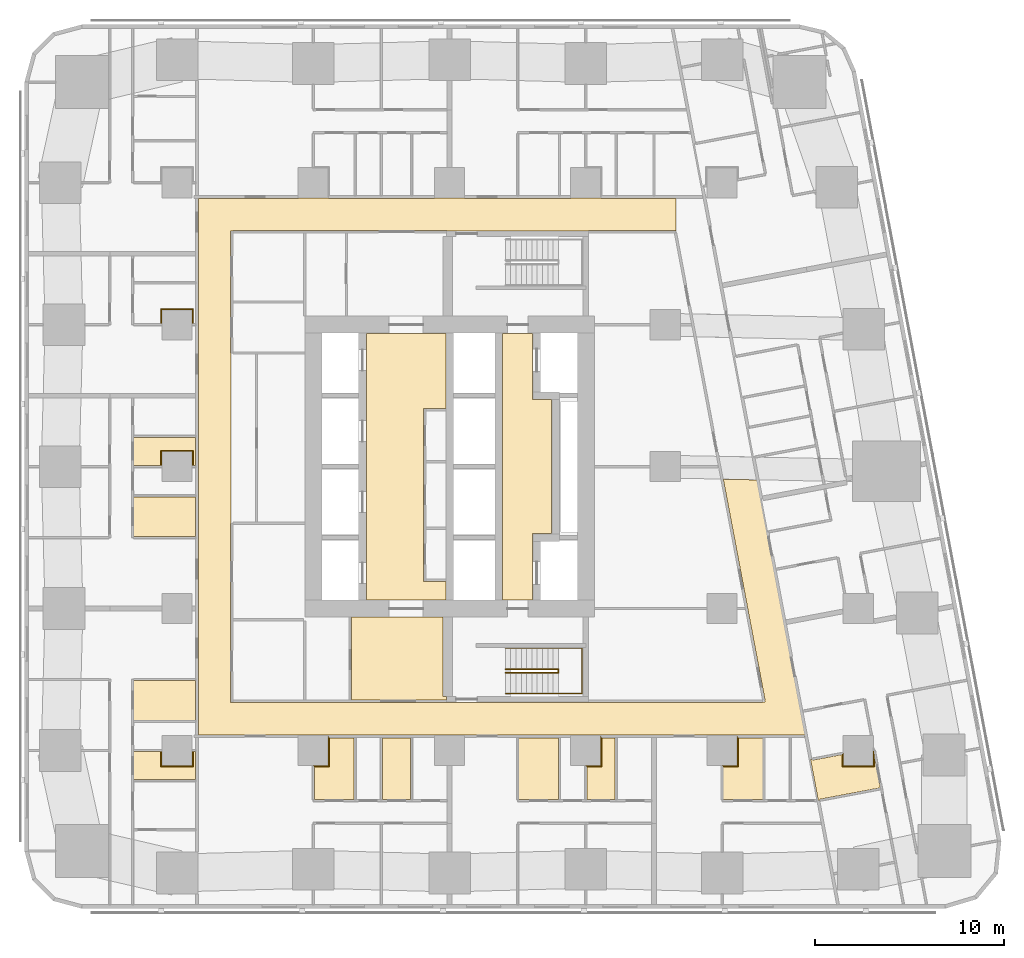
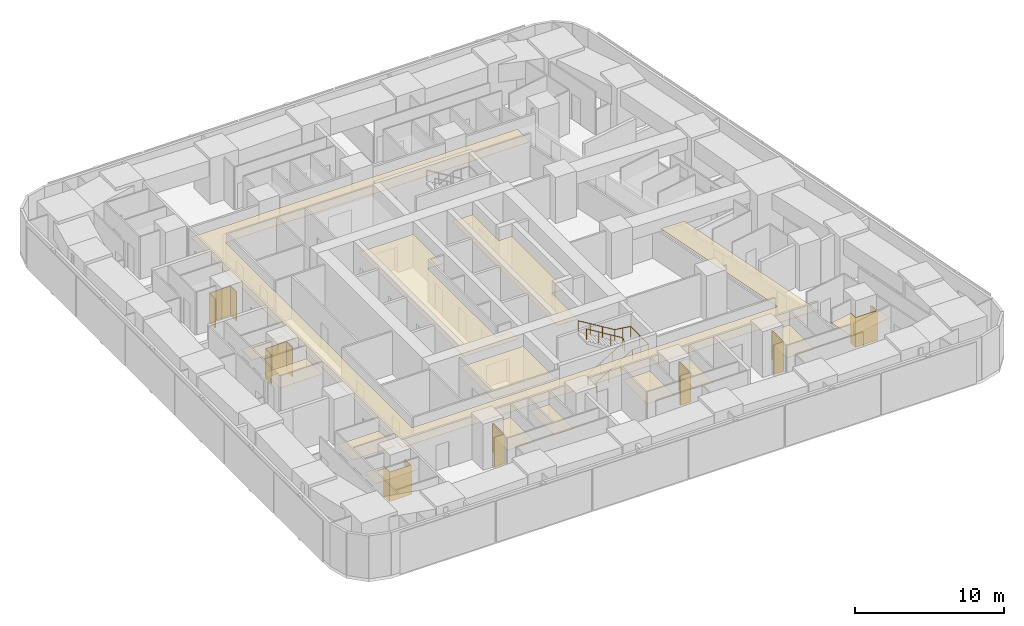
# One storey, part 13 of 15: 21 coverings, 2 railings.
"""IFC4 building model written with IfcOpenShell, lengths in metres."""

from ifc_helpers import new_model, si_unit, direction, frame, origin, origin_2d, place, context, subcontext, project, spatial, polyline, circle, outline, extrude, material, layer, layer_set, type_object, element, save


model = new_model("IFC4")

# Units and contexts
model_context = context("Model", 3, precision=1e-05, world=origin(), true_north=direction((0.0, 1.0)))
body_context = subcontext(model_context, "Body", "Model", "MODEL_VIEW")
ifc_project = project(units=[si_unit("LENGTHUNIT", "METRE"), si_unit("AREAUNIT", "SQUARE_METRE"), si_unit("VOLUMEUNIT", "CUBIC_METRE"), si_unit("PLANEANGLEUNIT", "RADIAN"), si_unit("MASSUNIT", "GRAM", prefix="KILO")], contexts=[model_context])

# Site, building, storey
site_placement = place(None, origin())
site = spatial("IfcSite", under=ifc_project, at=site_placement, CompositionType="ELEMENT")
building_placement = place(site_placement, origin())
building = spatial("IfcBuilding", under=site, at=building_placement, Name="Sheger Commons Tower", CompositionType="ELEMENT")
storey_placement = place(building_placement, frame((0.0, 0.0, 104.14990234375)))
storey = spatial("IfcBuildingStorey", under=building, at=storey_placement, Name="L26", CompositionType="ELEMENT", Elevation=104.14990234375)

# Railings
ifc_material_1 = material(Name="Steel handrail, black powder-coated", Category="steel")
railing_type = type_object("IfcRailingType", Name="HANDRAIL 900", PredefinedType="HANDRAIL", material=ifc_material_1)
railing_1_placement = place(storey_placement, frame((24.550048828125, 11.60009765625, 0.170654296875)))
element("IfcRailing", 1, at=railing_1_placement, inside=storey, type_object=railing_type, Name="Stair S1 handrail L26", PredefinedType="HANDRAIL", context=body_context, shape_type="SweptSolid", body=[
    extrude(circle(Radius=0.02392578125, at=origin_2d()), frame((0.0, 0.0, 0.8759765625), z_axis=(0.854202870247, 0.0, 0.519939858505), x_axis=(0.0, 1.0, 0.0)), (0.0, 0.0, 1.0), 3.278076171875),
    extrude(circle(Radius=0.02392578125, at=origin_2d()), frame((2.800048828125, 0.0, 2.580078125), z_axis=(0.0, 0.760631612298, 0.649183757016), x_axis=(-1.0, 0.0, 0.0)), (0.0, 0.0, 1.0), 0.262939453125),
    extrude(circle(Radius=0.02392578125, at=origin_2d()), frame((2.800048828125, 0.199951171875, 2.7509765625), z_axis=(-0.854202870247, 0.0, 0.519939858505), x_axis=(0.0, -1.0, 0.0)), (0.0, 0.0, 1.0), 3.278076171875),
    extrude(circle(Radius=0.02099609375, at=origin_2d()), origin(), (0.0, 0.0, 1.0), 0.851806640625),
    extrude(circle(Radius=0.02099609375, at=origin_2d()), frame((0.933349609375, 0.0, 0.568115234375)), (0.0, 0.0, 1.0), 0.851806640625),
    extrude(circle(Radius=0.02099609375, at=origin_2d()), frame((1.86669921875, 0.0, 1.13623046875)), (0.0, 0.0, 1.0), 0.851806640625),
    extrude(circle(Radius=0.02099609375, at=origin_2d()), frame((2.800048828125, 0.0, 1.704345703125)), (0.0, 0.0, 1.0), 0.851806640625),
    extrude(circle(Radius=0.02099609375, at=origin_2d()), frame((2.800048828125, 0.199951171875, 1.875)), (0.0, 0.0, 1.0), 0.851806640625),
    extrude(circle(Radius=0.02099609375, at=origin_2d()), frame((1.86669921875, 0.199951171875, 2.443115234375)), (0.0, 0.0, 1.0), 0.851806640625),
    extrude(circle(Radius=0.02099609375, at=origin_2d()), frame((0.933349609375, 0.199951171875, 3.01123046875)), (0.0, 0.0, 1.0), 0.851806640625),
    extrude(circle(Radius=0.02099609375, at=origin_2d()), frame((0.0, 0.199951171875, 3.579345703125)), (0.0, 0.0, 1.0), 0.851806640625),
])
railing_2_placement = place(storey_placement, frame((24.550048828125, 10.5, 0.170654296875)))
element("IfcRailing", 2, at=railing_2_placement, inside=storey, type_object=railing_type, Name="Stair S1 handrail L26", PredefinedType="HANDRAIL", context=body_context, shape_type="SweptSolid", body=[
    extrude(circle(Radius=0.02392578125, at=origin_2d()), frame((0.0, 0.0, 0.8759765625), z_axis=(0.854202870247, 0.0, 0.519939858505), x_axis=(0.0, 1.0, 0.0)), (0.0, 0.0, 1.0), 3.278076171875),
    extrude(circle(Radius=0.02392578125, at=origin_2d()), frame((2.800048828125, 0.0, 2.580078125), z_axis=(1.0, 0.0, 0.0), x_axis=(0.0, 1.0, 0.0)), (0.0, 0.0, 1.0), 1.25),
    extrude(circle(Radius=0.02392578125, at=origin_2d()), frame((4.050048828125, 0.0, 2.580078125), z_axis=(0.0, 1.0, 0.0), x_axis=(-1.0, 0.0, 0.0)), (0.0, 0.0, 1.0), 2.39990234375),
    extrude(circle(Radius=0.02392578125, at=origin_2d()), frame((4.050048828125, 2.39990234375, 2.580078125), z_axis=(-0.990808959222, 0.0, 0.135268645019), x_axis=(0.0, -1.0, 0.0)), (0.0, 0.0, 1.0), 1.261474609375),
    extrude(circle(Radius=0.02392578125, at=origin_2d()), frame((2.800048828125, 2.39990234375, 2.7509765625), z_axis=(-0.854202870247, 0.0, 0.519939858505), x_axis=(0.0, -1.0, 0.0)), (0.0, 0.0, 1.0), 3.278076171875),
    extrude(circle(Radius=0.02099609375, at=origin_2d()), origin(), (0.0, 0.0, 1.0), 0.851806640625),
    extrude(circle(Radius=0.02099609375, at=origin_2d()), frame((0.933349609375, 0.0, 0.568115234375)), (0.0, 0.0, 1.0), 0.851806640625),
    extrude(circle(Radius=0.02099609375, at=origin_2d()), frame((1.86669921875, 0.0, 1.13623046875)), (0.0, 0.0, 1.0), 0.851806640625),
    extrude(circle(Radius=0.02099609375, at=origin_2d()), frame((2.800048828125, 0.0, 1.704345703125)), (0.0, 0.0, 1.0), 0.851806640625),
    extrude(circle(Radius=0.02099609375, at=origin_2d()), frame((3.425048828125, 0.0, 1.704345703125)), (0.0, 0.0, 1.0), 0.851806640625),
    extrude(circle(Radius=0.02099609375, at=origin_2d()), frame((4.050048828125, 0.0, 1.704345703125)), (0.0, 0.0, 1.0), 0.851806640625),
    extrude(circle(Radius=0.02099609375, at=origin_2d()), frame((4.050048828125, 1.199951171875, 1.704345703125)), (0.0, 0.0, 1.0), 0.851806640625),
    extrude(circle(Radius=0.02099609375, at=origin_2d()), frame((4.050048828125, 2.39990234375, 1.704345703125)), (0.0, 0.0, 1.0), 0.851806640625),
    extrude(circle(Radius=0.02099609375, at=origin_2d()), frame((3.425048828125, 2.39990234375, 1.78955078125)), (0.0, 0.0, 1.0), 0.851806640625),
    extrude(circle(Radius=0.02099609375, at=origin_2d()), frame((2.800048828125, 2.39990234375, 1.875)), (0.0, 0.0, 1.0), 0.851806640625),
    extrude(circle(Radius=0.02099609375, at=origin_2d()), frame((1.86669921875, 2.39990234375, 2.443115234375)), (0.0, 0.0, 1.0), 0.851806640625),
    extrude(circle(Radius=0.02099609375, at=origin_2d()), frame((0.933349609375, 2.39990234375, 3.01123046875)), (0.0, 0.0, 1.0), 0.851806640625),
    extrude(circle(Radius=0.02099609375, at=origin_2d()), frame((0.0, 2.39990234375, 3.579345703125)), (0.0, 0.0, 1.0), 0.851806640625),
])

# Coverings
ifc_material_2 = material(Name="Moisture-resistant gypsum plasterboard 15 mm on a suspended galvanised steel grid", Category="steel")
ifc_layer_1 = layer(ifc_material_2, 0.014892578125)
ifc_layer_set_1 = layer_set([ifc_layer_1], Name="MOISTURE-RESISTANT CEILING 15")
covering_type_1 = type_object("IfcCoveringType", Name="MOISTURE-RESISTANT CEILING 15", PredefinedType="CEILING", material=ifc_layer_set_1)
covering_1_placement = place(storey_placement, frame((0.0, 0.0, 2.400146484375)))
element("IfcCovering", 3, at=covering_1_placement, inside=storey, type_object=covering_type_1, Name="L26-01.B1 ceiling", PredefinedType="CEILING", context=body_context, shape_type="SweptSolid", body=[
    extrude(outline(polyline([(4.905029296875, 9.094970703125), (8.169921875, 9.094970703125), (8.169921875, 11.195068359375), (4.905029296875, 11.195068359375), (4.905029296875, 9.094970703125)])), origin(), (0.0, 0.0, 1.0), 0.014892578125),
])
covering_2_placement = place(storey_placement, frame((0.0, 0.0, 2.400146484375)))
element("IfcCovering", 4, at=covering_2_placement, inside=storey, type_object=covering_type_1, Name="L26-01.B2 ceiling", PredefinedType="CEILING", context=body_context, shape_type="SweptSolid", body=[
    extrude(outline(polyline([(4.905029296875, 5.955078125), (8.169921875, 5.955078125), (8.169921875, 7.445068359375), (8.0048828125, 7.445068359375), (8.0048828125, 6.695068359375), (6.39501953125, 6.695068359375), (6.39501953125, 7.445068359375), (4.905029296875, 7.445068359375), (4.905029296875, 5.955078125)])), origin(), (0.0, 0.0, 1.0), 0.014892578125),
])
covering_3_placement = place(storey_placement, frame((0.0, 0.0, 2.400146484375)))
element("IfcCovering", 5, at=covering_3_placement, inside=storey, type_object=covering_type_1, Name="L26-02.B1 ceiling", PredefinedType="CEILING", context=body_context, shape_type="SweptSolid", body=[
    extrude(outline(polyline([(4.905029296875, 18.804931640625), (8.169921875, 18.804931640625), (8.169921875, 20.905029296875), (4.905029296875, 20.905029296875), (4.905029296875, 18.804931640625)])), origin(), (0.0, 0.0, 1.0), 0.014892578125),
])
covering_4_placement = place(storey_placement, frame((0.0, 0.0, 2.400146484375)))
element("IfcCovering", 6, at=covering_4_placement, inside=storey, type_object=covering_type_1, Name="L26-02.B2 ceiling", PredefinedType="CEILING", context=body_context, shape_type="SweptSolid", body=[
    extrude(outline(polyline([(4.905029296875, 22.554931640625), (6.39501953125, 22.554931640625), (6.39501953125, 23.304931640625), (8.0048828125, 23.304931640625), (8.0048828125, 22.554931640625), (8.169921875, 22.554931640625), (8.169921875, 24.044921875), (4.905029296875, 24.044921875), (4.905029296875, 22.554931640625)])), origin(), (0.0, 0.0, 1.0), 0.014892578125),
])
covering_5_placement = place(storey_placement, frame((0.0, 0.0, 2.400146484375)))
element("IfcCovering", 7, at=covering_5_placement, inside=storey, type_object=covering_type_1, Name="L26-05.B1 ceiling", PredefinedType="CEILING", context=body_context, shape_type="SweptSolid", body=[
    extrude(outline(polyline([(14.455078125, 4.905029296875), (16.554931640625, 4.905029296875), (16.554931640625, 8.169921875), (15.205078125, 8.169921875), (15.205078125, 6.695068359375), (14.455078125, 6.695068359375), (14.455078125, 4.905029296875)])), origin(), (0.0, 0.0, 1.0), 0.014892578125),
])
covering_6_placement = place(storey_placement, frame((0.0, 0.0, 2.400146484375)))
element("IfcCovering", 8, at=covering_6_placement, inside=storey, type_object=covering_type_1, Name="L26-05.B2 ceiling", PredefinedType="CEILING", context=body_context, shape_type="SweptSolid", body=[
    extrude(outline(polyline([(18.054931640625, 4.905029296875), (19.544921875, 4.905029296875), (19.544921875, 8.169921875), (18.054931640625, 8.169921875), (18.054931640625, 4.905029296875)])), origin(), (0.0, 0.0, 1.0), 0.014892578125),
])
covering_7_placement = place(storey_placement, frame((0.0, 0.0, 2.400146484375)))
element("IfcCovering", 9, at=covering_7_placement, inside=storey, type_object=covering_type_1, Name="L26-06.B1 ceiling", PredefinedType="CEILING", context=body_context, shape_type="SweptSolid", body=[
    extrude(outline(polyline([(25.2548828125, 4.905029296875), (27.35498046875, 4.905029296875), (27.35498046875, 8.169921875), (25.2548828125, 8.169921875), (25.2548828125, 4.905029296875)])), origin(), (0.0, 0.0, 1.0), 0.014892578125),
])
covering_8_placement = place(storey_placement, frame((0.0, 0.0, 2.400146484375)))
element("IfcCovering", 10, at=covering_8_placement, inside=storey, type_object=covering_type_1, Name="L26-06.B2 ceiling", PredefinedType="CEILING", context=body_context, shape_type="SweptSolid", body=[
    extrude(outline(polyline([(28.85498046875, 4.905029296875), (30.344970703125, 4.905029296875), (30.344970703125, 8.169921875), (29.60498046875, 8.169921875), (29.60498046875, 6.695068359375), (28.85498046875, 6.695068359375), (28.85498046875, 4.905029296875)])), origin(), (0.0, 0.0, 1.0), 0.014892578125),
])
covering_9_placement = place(storey_placement, frame((0.0, 0.0, 2.400146484375)))
element("IfcCovering", 11, at=covering_9_placement, inside=storey, type_object=covering_type_1, Name="L26-07.B1 ceiling", PredefinedType="CEILING", context=body_context, shape_type="SweptSolid", body=[
    extrude(outline(polyline([(36.054931640625, 4.905029296875), (38.155029296875, 4.905029296875), (38.155029296875, 8.169921875), (36.804931640625, 8.169921875), (36.804931640625, 6.695068359375), (36.054931640625, 6.695068359375), (36.054931640625, 4.905029296875)])), origin(), (0.0, 0.0, 1.0), 0.014892578125),
])
covering_10_placement = place(storey_placement, frame((0.0, 0.0, 2.400146484375)))
element("IfcCovering", 12, at=covering_10_placement, inside=storey, type_object=covering_type_1, Name="L26-11.B1 ceiling", PredefinedType="CEILING", context=body_context, shape_type="SweptSolid", body=[
    extrude(outline(polyline([(41.087890625, 4.85205078125), (41.156005859375, 4.864990234375), (41.14599609375, 4.9189453125), (44.364013671875, 5.527099609375), (44.007080078125, 7.4150390625), (44.0048828125, 7.4150390625), (44.0048828125, 6.695068359375), (42.39501953125, 6.695068359375), (42.39501953125, 7.29296875), (40.756103515625, 6.98291015625), (40.74609375, 7.037109375), (40.677001953125, 7.02392578125), (41.087890625, 4.85205078125)])), origin(), (0.0, 0.0, 1.0), 0.014892578125),
])
ifc_material_3 = material(Name="Gypsum plasterboard 15 mm on a suspended steel grid", Category="steel")
ifc_layer_2 = layer(ifc_material_3, 0.014892578125)
ifc_layer_set_2 = layer_set([ifc_layer_2], Name="SUSPENDED CEILING 15")
covering_type_2 = type_object("IfcCoveringType", Name="SUSPENDED CEILING 15", PredefinedType="CEILING", material=ifc_layer_set_2)
covering_11_placement = place(storey_placement, frame((0.0, 0.0, 2.7001953125)))
element("IfcCovering", 13, at=covering_11_placement, inside=storey, type_object=covering_type_2, Name="L26-CO ceiling", PredefinedType="CEILING", context=body_context, shape_type="SweptSolid", body=[
    extrude(outline(polyline([(40.361083984375, 8.25), (40.446044921875, 8.25), (37.886962890625, 21.7958984375), (36.06591796875, 21.8330078125), (38.26904296875, 10.1708984375), (38.251953125, 10.1669921875), (38.27392578125, 10.050048828125), (38.14306640625, 10.050048828125), (38.14306640625, 10.031982421875), (28.945068359375, 10.031982421875), (28.945068359375, 10.044921875), (21.455078125, 10.044921875), (21.455078125, 10.031982421875), (10.157958984375, 10.031982421875), (10.157958984375, 10.044921875), (10.031982421875, 10.044921875), (10.031982421875, 19.5048828125), (10.050048828125, 19.5048828125), (10.050048828125, 28.4951171875), (10.031982421875, 28.4951171875), (10.031982421875, 34.955078125), (10.157958984375, 34.955078125), (10.157958984375, 34.968017578125), (21.455078125, 34.968017578125), (21.455078125, 34.949951171875), (28.945068359375, 34.949951171875), (28.945068359375, 34.968017578125), (33.54296875, 34.968017578125), (33.54296875, 34.949951171875), (33.568115234375, 34.949951171875), (33.568115234375, 36.669921875), (29.595947265625, 36.669921875), (29.595947265625, 36.695068359375), (28.00390625, 36.695068359375), (28.00390625, 36.669921875), (22.39599609375, 36.669921875), (22.39599609375, 36.695068359375), (20.803955078125, 36.695068359375), (20.803955078125, 36.669921875), (15.196044921875, 36.669921875), (15.196044921875, 36.695068359375), (13.60400390625, 36.695068359375), (13.60400390625, 36.669921875), (8.330078125, 36.669921875), (8.330078125, 8.330078125), (13.60400390625, 8.330078125), (13.60400390625, 8.304931640625), (15.196044921875, 8.304931640625), (15.196044921875, 8.330078125), (20.803955078125, 8.330078125), (20.803955078125, 8.304931640625), (22.39599609375, 8.304931640625), (22.39599609375, 8.330078125), (28.00390625, 8.330078125), (28.00390625, 8.304931640625), (29.595947265625, 8.304931640625), (29.595947265625, 8.330078125), (35.2041015625, 8.330078125), (35.2041015625, 8.304931640625), (36.7958984375, 8.304931640625), (36.7958984375, 8.330078125), (40.361083984375, 8.330078125), (40.361083984375, 8.25)])), origin(), (0.0, 0.0, 1.0), 0.014892578125),
])
covering_12_placement = place(storey_placement, frame((0.0, 0.0, 2.7001953125)))
element("IfcCovering", 14, at=covering_12_placement, inside=storey, type_object=covering_type_2, Name="L26-SVS1 ceiling", PredefinedType="CEILING", context=body_context, shape_type="SweptSolid", body=[
    extrude(outline(polyline([(16.406982421875, 10.16796875), (21.445068359375, 10.16796875), (21.445068359375, 10.344970703125), (21.2451171875, 10.344970703125), (21.2451171875, 14.544921875), (16.406982421875, 14.544921875), (16.406982421875, 10.16796875)])), origin(), (0.0, 0.0, 1.0), 0.014892578125),
])
covering_13_placement = place(storey_placement, frame((0.0, 0.0, 2.7001953125)))
element("IfcCovering", 15, at=covering_13_placement, inside=storey, type_object=covering_type_2, Name="L26-LL ceiling", PredefinedType="CEILING", context=body_context, shape_type="SweptSolid", body=[
    extrude(outline(polyline([(17.205078125, 15.455078125), (21.39990234375, 15.455078125), (21.39990234375, 16.43310546875), (20.35791015625, 16.43310546875), (20.23291015625, 16.43310546875), (20.23291015625, 25.56689453125), (20.35791015625, 25.56689453125), (21.39990234375, 25.56689453125), (21.39990234375, 29.544921875), (17.205078125, 29.544921875), (17.205078125, 15.455078125)])), origin(), (0.0, 0.0, 1.0), 0.014892578125),
])
covering_14_placement = place(storey_placement, frame((0.0, 0.0, 2.7001953125)))
element("IfcCovering", 16, at=covering_14_placement, inside=storey, type_object=covering_type_2, Name="L26-FL ceiling", PredefinedType="CEILING", context=body_context, shape_type="SweptSolid", body=[
    extrude(outline(polyline([(24.405029296875, 15.455078125), (25.9951171875, 15.455078125), (25.9951171875, 18.955078125), (26.9951171875, 18.955078125), (26.9951171875, 26.044921875), (25.9951171875, 26.044921875), (25.9951171875, 29.544921875), (24.405029296875, 29.544921875), (24.405029296875, 15.455078125)])), origin(), (0.0, 0.0, 1.0), 0.014892578125),
])
ifc_material_4 = material(Name="Moisture-resistant gypsum board 12.5 mm on 25 mm treated timber battens, tanked and tiled", Category="wood")
ifc_layer_3 = layer(ifc_material_4, 0.050048828125)
ifc_layer_set_3 = layer_set([ifc_layer_3], Name="WET-ROOM COLUMN LINING")
covering_type_3 = type_object("IfcCoveringType", Name="WET-ROOM COLUMN LINING", PredefinedType="CLADDING", material=ifc_layer_set_3)
covering_15_placement = place(storey_placement, origin())
element("IfcCovering", 17, at=covering_15_placement, inside=storey, type_object=covering_type_3, Name="Shower room column lining C9 L26", PredefinedType="CLADDING", context=body_context, shape_type="SweptSolid", body=[
    extrude(outline(polyline([(6.39990234375, 7.5), (6.39990234375, 6.699951171875), (8.0, 6.699951171875), (8.0, 7.5), (8.0009765625, 7.5), (8.0009765625, 7.449951171875), (8.050048828125, 7.449951171875), (8.050048828125, 6.64990234375), (6.35009765625, 6.64990234375), (6.35009765625, 7.449951171875), (6.39892578125, 7.449951171875), (6.39892578125, 7.5), (6.39990234375, 7.5)])), origin(), (0.0, 0.0, 1.0), 2.400146484375),
])
covering_16_placement = place(storey_placement, origin())
element("IfcCovering", 18, at=covering_16_placement, inside=storey, type_object=covering_type_3, Name="Bathroom column lining C9 L26", PredefinedType="CLADDING", context=body_context, shape_type="SweptSolid", body=[
    extrude(outline(polyline([(14.449951171875, 6.64990234375), (14.449951171875, 6.698974609375), (14.39990234375, 6.698974609375), (14.39990234375, 6.699951171875), (15.199951171875, 6.699951171875), (15.199951171875, 8.25), (15.200927734375, 8.25), (15.200927734375, 8.175048828125), (15.25, 8.175048828125), (15.25, 6.64990234375), (14.449951171875, 6.64990234375)])), origin(), (0.0, 0.0, 1.0), 2.400146484375),
])
covering_17_placement = place(storey_placement, origin())
element("IfcCovering", 19, at=covering_17_placement, inside=storey, type_object=covering_type_3, Name="Shower room column lining C9 L26", PredefinedType="CLADDING", context=body_context, shape_type="SweptSolid", body=[
    extrude(outline(polyline([(28.85009765625, 6.64990234375), (28.85009765625, 6.698974609375), (28.800048828125, 6.698974609375), (28.800048828125, 6.699951171875), (29.60009765625, 6.699951171875), (29.60009765625, 8.25), (29.60107421875, 8.25), (29.60107421875, 8.175048828125), (29.64990234375, 8.175048828125), (29.64990234375, 6.64990234375), (28.85009765625, 6.64990234375)])), origin(), (0.0, 0.0, 1.0), 2.400146484375),
])
covering_18_placement = place(storey_placement, origin())
element("IfcCovering", 20, at=covering_18_placement, inside=storey, type_object=covering_type_3, Name="Bathroom column lining C9 L26", PredefinedType="CLADDING", context=body_context, shape_type="SweptSolid", body=[
    extrude(outline(polyline([(36.050048828125, 6.64990234375), (36.050048828125, 6.698974609375), (36.0, 6.698974609375), (36.0, 6.699951171875), (36.800048828125, 6.699951171875), (36.800048828125, 8.25), (36.801025390625, 8.25), (36.801025390625, 8.175048828125), (36.85009765625, 8.175048828125), (36.85009765625, 6.64990234375), (36.050048828125, 6.64990234375)])), origin(), (0.0, 0.0, 1.0), 2.400146484375),
])
covering_19_placement = place(storey_placement, origin())
element("IfcCovering", 21, at=covering_19_placement, inside=storey, type_object=covering_type_3, Name="Bathroom column lining C9 L26", PredefinedType="CLADDING", context=body_context, shape_type="SweptSolid", body=[
    extrude(outline(polyline([(42.39990234375, 7.34912109375), (42.39990234375, 6.699951171875), (44.0, 6.699951171875), (44.0, 7.47998046875), (44.050048828125, 7.215087890625), (44.050048828125, 6.64990234375), (42.35009765625, 6.64990234375), (42.35009765625, 7.2900390625), (42.39892578125, 7.299072265625), (42.389892578125, 7.346923828125), (42.39990234375, 7.34912109375)])), origin(), (0.0, 0.0, 1.0), 2.400146484375),
])
covering_20_placement = place(storey_placement, origin())
element("IfcCovering", 22, at=covering_20_placement, inside=storey, type_object=covering_type_3, Name="Shower room column lining C9 L26", PredefinedType="CLADDING", context=body_context, shape_type="SweptSolid", body=[
    extrude(outline(polyline([(8.050048828125, 23.35009765625), (8.050048828125, 22.550048828125), (8.0009765625, 22.550048828125), (8.0009765625, 22.5), (8.0, 22.5), (8.0, 23.300048828125), (6.39990234375, 23.300048828125), (6.39990234375, 22.5), (6.39892578125, 22.5), (6.39892578125, 22.550048828125), (6.35009765625, 22.550048828125), (6.35009765625, 23.35009765625), (8.050048828125, 23.35009765625)])), origin(), (0.0, 0.0, 1.0), 2.400146484375),
])
covering_21_placement = place(storey_placement, origin())
element("IfcCovering", 23, at=covering_21_placement, inside=storey, type_object=covering_type_3, Name="Bathroom column lining C9 L26", PredefinedType="CLADDING", context=body_context, shape_type="SweptSolid", body=[
    extrude(outline(polyline([(8.050048828125, 30.85009765625), (8.050048828125, 30.050048828125), (8.0009765625, 30.050048828125), (8.0009765625, 30.0), (8.0, 30.0), (8.0, 30.800048828125), (6.39990234375, 30.800048828125), (6.39990234375, 30.0), (6.39892578125, 30.0), (6.39892578125, 30.050048828125), (6.35009765625, 30.050048828125), (6.35009765625, 30.85009765625), (8.050048828125, 30.85009765625)])), origin(), (0.0, 0.0, 1.0), 2.400146484375),
])

save(model, "model.ifc")
